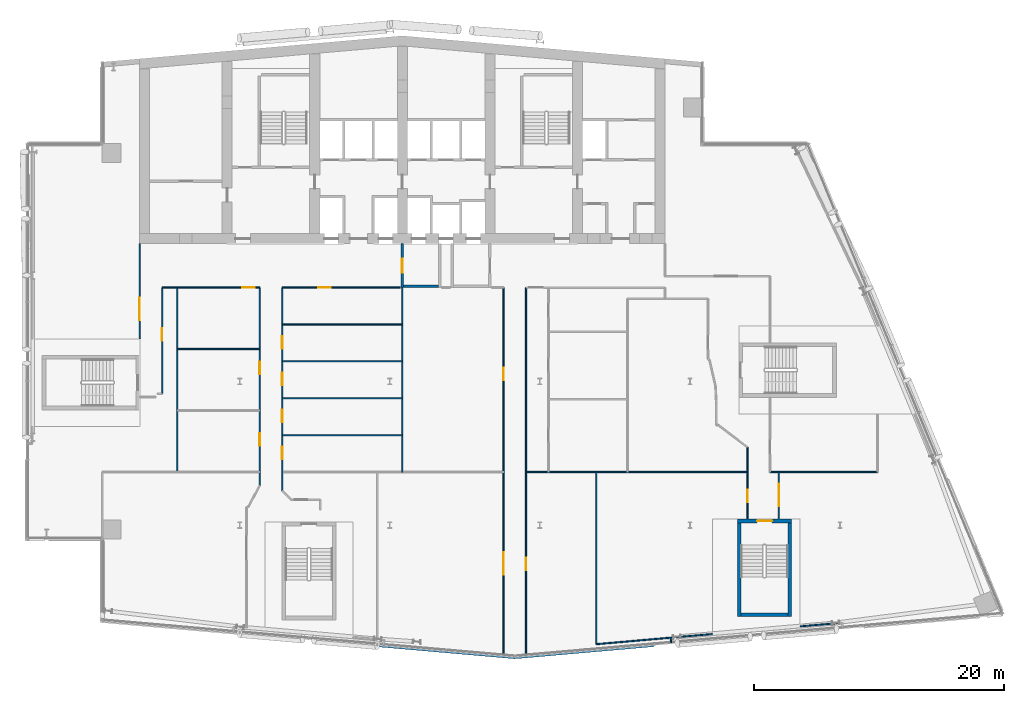
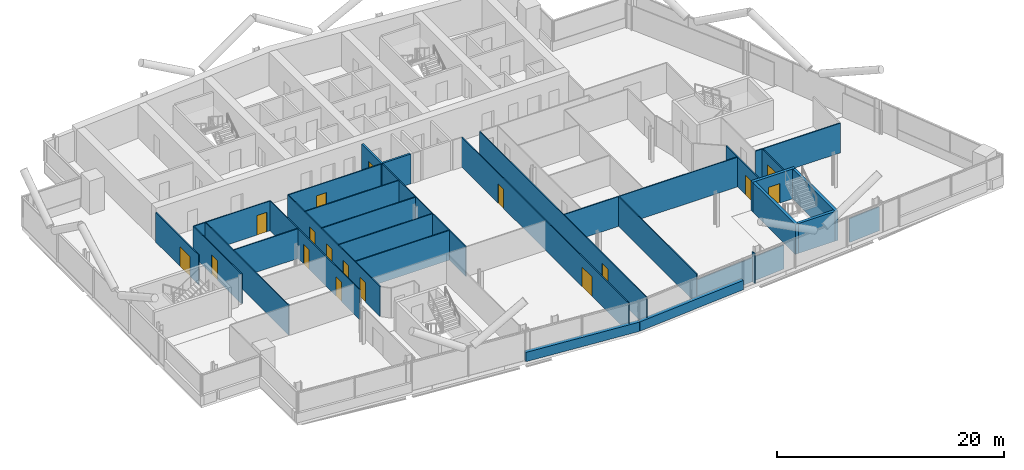
# One storey, part 15 of 26: 31 walls, 17 doors, 17 openings.
"""IFC4 building model written with IfcOpenShell, lengths in metres."""

import ifcopenshell
import ifcopenshell.guid

model = None  # the IFC model being written
_history = None  # IfcOwnerHistory: only IFC2X3 demands one
_inside = {}  # id of a spatial element -> (the spatial element, [elements in it])
_under = {}  # id of a project, library or spatial element -> (it, [spatial elements below it])
_declared = {}  # id of a project -> (the project, [libraries it declares])
_typed = {}  # id of a type object -> (the type object, [elements of that type])
_made_of = {}  # id of a material, layer set ... -> (it, [elements and type objects made of it])


def new_model(schema):
    """Start an empty IFC model of exactly this schema.

    Asked for "IFC4X3", IfcOpenShell would pick the latest addendum, in which some entities
    have other attributes; the version numbers below select the first issue.
    IFC2X3 requires an IfcOwnerHistory on every rooted entity: one is made here for all.
    """
    global model, _history
    if schema == "IFC4X3":
        model = ifcopenshell.file(schema_version=(4, 3, 0, 0))
    else:
        model = ifcopenshell.file(schema=schema)
    _inside.clear()
    _under.clear()
    _declared.clear()
    _typed.clear()
    _made_of.clear()
    _history = None
    if model.schema == "IFC2X3":
        org = make("IfcOrganization", Name="unknown")
        user = make(
            "IfcPersonAndOrganization",
            ThePerson=make("IfcPerson", FamilyName="unknown"),
            TheOrganization=org,
        )
        app = make(
            "IfcApplication",
            ApplicationDeveloper=org,
            Version="unknown",
            ApplicationFullName="unknown",
            ApplicationIdentifier="unknown",
        )
        _history = make(
            "IfcOwnerHistory",
            OwningUser=user,
            OwningApplication=app,
            ChangeAction="ADDED",
            CreationDate=0,
        )
    return model


def make(cls, **values):
    """One entity of the class cls with the attributes given. An attribute that is None is left unset."""
    return model.create_entity(
        cls, **{name: value for name, value in values.items() if value is not None}
    )


def rooted(cls, **values):
    """An entity with a GlobalId (a new one), such as an element, a storey or a relation."""
    return make(cls, GlobalId=ifcopenshell.guid.new(), OwnerHistory=_history, **values)


def si_unit(unit_type, name, prefix=None):
    """IfcSIUnit, for example si_unit("LENGTHUNIT", "METRE", prefix="MILLI")."""
    return make("IfcSIUnit", UnitType=unit_type, Prefix=prefix, Name=name)


def assignment(units):
    """IfcUnitAssignment: the units of a project."""
    return None if units is None else make("IfcUnitAssignment", Units=units)


def point(xyz):
    """IfcCartesianPoint."""
    return None if xyz is None else make("IfcCartesianPoint", Coordinates=xyz)


def direction(xyz):
    """IfcDirection."""
    return None if xyz is None else make("IfcDirection", DirectionRatios=xyz)


def frame(location, z_axis=None, x_axis=None):
    """IfcAxis2Placement3D, a coordinate frame: its origin and axes. An axis left out is left unset."""
    return make(
        "IfcAxis2Placement3D",
        Location=point(location),
        Axis=direction(z_axis),
        RefDirection=direction(x_axis),
    )


def frame_2d(location, x_axis=None):
    """IfcAxis2Placement2D, a coordinate frame in the plane: its origin and x axis."""
    return make(
        "IfcAxis2Placement2D", Location=point(location), RefDirection=direction(x_axis)
    )


def origin():
    """The frame at (0, 0, 0) with its axes left unset."""
    return frame((0.0, 0.0, 0.0))


def place(relative_to, where):
    """IfcLocalPlacement: puts the frame where relative to a parent placement (None: the world)."""
    return make(
        "IfcLocalPlacement", PlacementRelTo=relative_to, RelativePlacement=where
    )


def context(
    kind, dimensions, precision=None, world=None, true_north=None, identifier=None
):
    """IfcGeometricRepresentationContext, for example the 3D "Model" context."""
    return make(
        "IfcGeometricRepresentationContext",
        ContextIdentifier=identifier,
        ContextType=kind,
        CoordinateSpaceDimension=dimensions,
        Precision=precision,
        WorldCoordinateSystem=world,
        TrueNorth=true_north,
    )


def subcontext(parent, identifier, kind, view, scale=None):
    """IfcGeometricRepresentationSubContext, for example "Body" below "Model"."""
    return make(
        "IfcGeometricRepresentationSubContext",
        ContextIdentifier=identifier,
        ContextType=kind,
        ParentContext=parent,
        TargetScale=scale,
        TargetView=view,
    )


def project(units=None, contexts=None):
    """IfcProject with its units and contexts."""
    return rooted(
        "IfcProject",
        Name="project",
        RepresentationContexts=contexts,
        UnitsInContext=assignment(units),
    )


def spatial(cls, under=None, at=None, **own):
    """A site, building, storey or space (cls), placed at a placement, below another one or the project."""
    s = rooted(cls, ObjectPlacement=at, **own)
    if under is not None:
        _under.setdefault(under.id(), (under, []))[1].append(s)
    return s


def profile(cls, at=None, kind="AREA", **sizes):
    """A parametric profile (cls). Its sizes go by their IFC names, for example OverallWidth=200.0."""
    return make(cls, ProfileType=kind, Position=at, **sizes)


def rectangle(**sizes):
    """IfcRectangleProfileDef."""
    return profile("IfcRectangleProfileDef", **sizes)


def extrude(swept, where, along, depth):
    """IfcExtrudedAreaSolid: the profile swept, set in the frame where, extruded along a direction by depth."""
    return make(
        "IfcExtrudedAreaSolid",
        SweptArea=swept,
        Position=where,
        ExtrudedDirection=direction(along),
        Depth=depth,
    )


def shape(context_of_items, identifier, shape_type, items):
    """IfcShapeRepresentation: the items that make up one representation, for example the "Body"."""
    return make(
        "IfcShapeRepresentation",
        ContextOfItems=context_of_items,
        RepresentationIdentifier=identifier,
        RepresentationType=shape_type,
        Items=items,
    )


def material(Name=None, Category=None):
    """IfcMaterial."""
    return make("IfcMaterial", Name=Name, Category=Category)


def layer(
    of_material, thickness, ventilated=None, Name=None, Category=None, Priority=None
):
    """IfcMaterialLayer: one layer of a wall or slab, of a material (None: an air gap)."""
    return make(
        "IfcMaterialLayer",
        Material=of_material,
        LayerThickness=thickness,
        IsVentilated=ventilated,
        Name=Name,
        Category=Category,
        Priority=Priority,
    )


def layer_set(layers, Name=None):
    """IfcMaterialLayerSet."""
    return make("IfcMaterialLayerSet", MaterialLayers=layers, LayerSetName=Name)


def made_of(thing, what):
    """Note that an element or type object is made of a material, layer set ...; save() writes the relation."""
    if what is not None:
        _made_of.setdefault(what.id(), (what, []))[1].append(thing)
    return thing


def type_object(cls, material=None, **own):
    """A type object (cls), such as IfcWallType, which elements share."""
    return made_of(rooted(cls, **own), material)


def element(
    cls,
    number,
    at=None,
    inside=None,
    cuts=None,
    type_object=None,
    material=None,
    context=None,
    identifier="Body",
    shape_type=None,
    held_by="IfcProductDefinitionShape",
    body=None,
    shapes=None,
    **own,
):
    """One element of the class cls, such as IfcWall. Its Tag is "e" and its number.

    at: its placement. inside: the storey or other place that contains it. cuts: it is an
    opening in that element (IfcRelVoidsElement). A single representation is given by context,
    identifier, shape_type and body (its items); several are given by shapes. held_by: the class
    of the entity that holds the representations. save() writes the other relations.
    """
    e = rooted(cls, Tag="e%d" % number, ObjectPlacement=at, **own)
    if body is not None:
        shapes = [shape(context, identifier, shape_type, body)]
    if shapes is not None:
        e.Representation = make(held_by, Representations=shapes)
    if inside is not None:
        _inside.setdefault(inside.id(), (inside, []))[1].append(e)
    if cuts is not None:
        rooted(
            "IfcRelVoidsElement", RelatingBuildingElement=cuts, RelatedOpeningElement=e
        )
    if type_object is not None:
        _typed.setdefault(type_object.id(), (type_object, []))[1].append(e)
    return made_of(e, material)


def fill(opening, filler):
    """IfcRelFillsElement: the door or window that sits in an opening."""
    return rooted(
        "IfcRelFillsElement",
        RelatingOpeningElement=opening,
        RelatedBuildingElement=filler,
    )


def aggregate(whole, parts):
    """IfcRelAggregates: a whole, such as a stair, and the parts it consists of."""
    return rooted("IfcRelAggregates", RelatingObject=whole, RelatedObjects=parts)


def save(model, path):
    """Write the relations noted so far, then the file.

    IfcRelAggregates (storeys below a building ...), IfcRelContainedInSpatialStructure (elements
    in a storey), IfcRelDefinesByType, IfcRelAssociatesMaterial and IfcRelDeclares: one each for
    every whole, place, type object, material and project.
    """
    for whole, parts in _under.values():
        aggregate(whole, parts)
    for where, things in _inside.values():
        rooted(
            "IfcRelContainedInSpatialStructure",
            RelatedElements=things,
            RelatingStructure=where,
        )
    for kind, things in _typed.values():
        rooted("IfcRelDefinesByType", RelatedObjects=things, RelatingType=kind)
    for what, things in _made_of.values():
        rooted("IfcRelAssociatesMaterial", RelatedObjects=things, RelatingMaterial=what)
    for by, libraries in _declared.values():
        rooted("IfcRelDeclares", RelatingContext=by, RelatedDefinitions=libraries)
    model.write(path)


model = new_model("IFC4")

# Units and contexts
model_context = context("Model", 3, precision=1e-05, world=origin(), true_north=direction((0.0, 1.0)))
body_context = subcontext(model_context, "Body", "Model", "MODEL_VIEW")
ifc_project = project(units=[si_unit("LENGTHUNIT", "METRE"), si_unit("AREAUNIT", "SQUARE_METRE"), si_unit("VOLUMEUNIT", "CUBIC_METRE"), si_unit("PLANEANGLEUNIT", "RADIAN"), si_unit("MASSUNIT", "GRAM", prefix="KILO")], contexts=[model_context])

# Site, building, storey
site_placement = place(None, origin())
site = spatial("IfcSite", under=ifc_project, at=site_placement, CompositionType="ELEMENT")
building_placement = place(site_placement, origin())
building = spatial("IfcBuilding", under=site, at=building_placement, Name="Wharfspan Tower", CompositionType="ELEMENT")
storey_placement = place(building_placement, frame((0.0, 0.0, 166.300049)))
storey = spatial("IfcBuildingStorey", under=building, at=storey_placement, Name="L40", CompositionType="ELEMENT", Elevation=166.300049)

# Wall, opening, door
ifc_material_1 = material(Name="Gypsum board on steel studs", Category="steel")
ifc_layer_1 = layer(ifc_material_1, 0.100098)
ifc_layer_set_1 = layer_set([ifc_layer_1], Name="Gypsum board on steel studs")
wall_type_1 = type_object("IfcWallType", Name="Compartment wall 100 EI 60", PredefinedType="PARTITIONING", material=ifc_layer_set_1)
wall_1_placement = place(storey_placement, frame((16.0, 26.419922, 0.0), z_axis=(0.0, 0.0, 1.0), x_axis=(0.0, 1.0, 0.0)))
wall_1 = element("IfcWall", 1, at=wall_1_placement, inside=storey, type_object=wall_type_1, Name="Partition L40.w006", PredefinedType="PARTITIONING", context=body_context, shape_type="SweptSolid", body=[
    extrude(rectangle(XDim=7.560059, YDim=0.100098, at=frame_2d((3.780029, 0.0))), origin(), (0.0, 0.0, 1.0), 3.199951),
])
opening_1_placement = place(wall_1_placement, frame((1.47998, 0.0, 0.0)))
opening_1 = element("IfcOpeningElement", 2, at=opening_1_placement, cuts=wall_1, Name="Opening C3-20", PredefinedType="OPENING", context=body_context, shape_type="SweptSolid", body=[
    extrude(rectangle(XDim=1.800049, YDim=2.100098, at=frame_2d((0.899902, 1.050049))), frame((0.0, 0.060059, 0.0), z_axis=(0.0, -1.0, 0.0), x_axis=(1.0, 0.0, 0.0)), (0.0, 0.0, 1.0), 0.120117),
])
ifc_material_2 = material(Name="Fire-rated timber door leaf in steel frame", Category="steel")
door_type_1 = type_object("IfcDoorType", Name="Door 1800 FD30S Double", OperationType="DOUBLE_DOOR_SINGLE_SWING", PredefinedType="DOOR", material=ifc_material_2)
door_1_placement = place(opening_1_placement, origin())
door_1 = element("IfcDoor", 3, at=door_1_placement, inside=storey, type_object=door_type_1, Name="Door C3-20", OperationType="DOUBLE_DOOR_SINGLE_SWING", OverallHeight=2.100098, OverallWidth=1.800049, PredefinedType="DOOR", context=body_context, shape_type="SweptSolid", body=[
    extrude(rectangle(XDim=1.800049, YDim=2.100098, at=frame_2d((0.899902, 1.050049))), frame((0.0, 0.024902, 0.0), z_axis=(0.0, -1.0, 0.0), x_axis=(1.0, 0.0, 0.0)), (0.0, 0.0, 1.0), 0.050049),
])
fill(opening_1, door_1)

wall_2_placement = place(storey_placement, frame((17.800049, 22.0, 0.0), z_axis=(0.0, 0.0, 1.0), x_axis=(0.0, 1.0, 0.0)))
wall_2 = element("IfcWall", 4, at=wall_2_placement, inside=storey, type_object=wall_type_1, Name="Partition L40.w009", PredefinedType="PARTITIONING", context=body_context, shape_type="SweptSolid", body=[
    extrude(rectangle(XDim=8.5, YDim=0.100098, at=frame_2d((4.25, 0.0))), origin(), (0.0, 0.0, 1.0), 3.199951),
])
opening_2_placement = place(wall_2_placement, frame((4.231201, 0.0, 0.0)))
opening_2 = element("IfcOpeningElement", 5, at=opening_2_placement, cuts=wall_2, Name="Opening C3-18", PredefinedType="OPENING", context=body_context, shape_type="SweptSolid", body=[
    extrude(rectangle(XDim=1.0, YDim=2.100098, at=frame_2d((0.5, 1.050049))), frame((0.0, 0.060059, 0.0), z_axis=(0.0, -1.0, 0.0), x_axis=(1.0, 0.0, 0.0)), (0.0, 0.0, 1.0), 0.120117),
])
door_type_2 = type_object("IfcDoorType", Name="Door 1000 FD30S Right", OperationType="SINGLE_SWING_RIGHT", PredefinedType="DOOR", material=ifc_material_2)
door_2_placement = place(opening_2_placement, origin())
door_2 = element("IfcDoor", 6, at=door_2_placement, inside=storey, type_object=door_type_2, Name="Door C3-18", OperationType="SINGLE_SWING_RIGHT", OverallHeight=2.100098, OverallWidth=1.0, PredefinedType="DOOR", context=body_context, shape_type="SweptSolid", body=[
    extrude(rectangle(XDim=1.0, YDim=2.100098, at=frame_2d((0.5, 1.050049))), frame((0.0, 0.024902, 0.0), z_axis=(0.0, -1.0, 0.0), x_axis=(1.0, 0.0, 0.0)), (0.0, 0.0, 1.0), 0.050049),
])
fill(opening_2, door_2)

wall_3_placement = place(storey_placement, frame((17.800049, 30.5, 0.0), z_axis=(0.0, 0.0, 1.0), x_axis=(1.0, 0.0, 0.0)))
wall_3 = element("IfcWall", 7, at=wall_3_placement, inside=storey, type_object=wall_type_1, Name="Partition L40.w010", PredefinedType="PARTITIONING", context=body_context, shape_type="SweptSolid", body=[
    extrude(rectangle(XDim=7.800049, YDim=0.100098, at=frame_2d((3.899902, 0.0))), origin(), (0.0, 0.0, 1.0), 3.199951),
])
opening_3_placement = place(wall_3_placement, frame((6.419922, 0.0, 0.0)))
opening_3 = element("IfcOpeningElement", 8, at=opening_3_placement, cuts=wall_3, Name="Opening C3-22", PredefinedType="OPENING", context=body_context, shape_type="SweptSolid", body=[
    extrude(rectangle(XDim=1.0, YDim=2.100098, at=frame_2d((0.5, 1.050049))), frame((0.0, 0.060059, 0.0), z_axis=(0.0, -1.0, 0.0), x_axis=(1.0, 0.0, 0.0)), (0.0, 0.0, 1.0), 0.120117),
])
door_3_placement = place(opening_3_placement, origin())
door_3 = element("IfcDoor", 9, at=door_3_placement, inside=storey, type_object=door_type_2, Name="Door C3-22", OperationType="SINGLE_SWING_RIGHT", OverallHeight=2.100098, OverallWidth=1.0, PredefinedType="DOOR", context=body_context, shape_type="SweptSolid", body=[
    extrude(rectangle(XDim=1.0, YDim=2.100098, at=frame_2d((0.5, 1.050049))), frame((0.0, 0.024902, 0.0), z_axis=(0.0, -1.0, 0.0), x_axis=(1.0, 0.0, 0.0)), (0.0, 0.0, 1.0), 0.050049),
])
fill(opening_3, door_3)

# Walls
wall_4_placement = place(storey_placement, frame((19.0, 15.745117, 0.0), z_axis=(0.0, 0.0, 1.0), x_axis=(0.0, 1.0, 0.0)))
element("IfcWall", 10, at=wall_4_placement, inside=storey, type_object=wall_type_1, Name="Partition L40.w011", PredefinedType="PARTITIONING", context=body_context, shape_type="SweptSolid", body=[
    extrude(rectangle(XDim=14.754883, YDim=0.100098, at=frame_2d((7.377441, 0.0))), origin(), (0.0, 0.0, 1.0), 3.199951),
])
wall_5_placement = place(storey_placement, frame((19.0, 25.580078, 0.0), z_axis=(0.0, 0.0, 1.0), x_axis=(1.0, 0.0, 0.0)))
element("IfcWall", 11, at=wall_5_placement, inside=storey, type_object=wall_type_1, Name="Partition L40.w013", PredefinedType="PARTITIONING", context=body_context, shape_type="SweptSolid", body=[
    extrude(rectangle(XDim=6.600098, YDim=0.100098, at=frame_2d((3.300049, 0.0))), origin(), (0.0, 0.0, 1.0), 3.199951),
])

# Wall, openings, doors
wall_6_placement = place(storey_placement, frame((25.600098, 14.669922, 0.0), z_axis=(0.0, 0.0, 1.0), x_axis=(0.0, 1.0, 0.0)))
wall_6 = element("IfcWall", 12, at=wall_6_placement, inside=storey, type_object=wall_type_1, Name="Partition L40.w018", PredefinedType="PARTITIONING", context=body_context, shape_type="SweptSolid", body=[
    extrude(rectangle(XDim=15.830078, YDim=0.100098, at=frame_2d((7.915039, 0.0))), origin(), (0.0, 0.0, 1.0), 3.199951),
])
opening_4_placement = place(wall_6_placement, frame((3.175049, 0.0, 0.0)))
opening_4 = element("IfcOpeningElement", 13, at=opening_4_placement, cuts=wall_6, Name="Opening C3-09", PredefinedType="OPENING", context=body_context, shape_type="SweptSolid", body=[
    extrude(rectangle(XDim=1.0, YDim=2.100098, at=frame_2d((0.5, 1.050049))), frame((0.0, 0.060059, 0.0), z_axis=(0.0, -1.0, 0.0), x_axis=(1.0, 0.0, 0.0)), (0.0, 0.0, 1.0), 0.120117),
])
opening_5_placement = place(wall_6_placement, frame((8.889893, 0.0, 0.0)))
opening_5 = element("IfcOpeningElement", 14, at=opening_5_placement, cuts=wall_6, Name="Opening C3-14", PredefinedType="OPENING", context=body_context, shape_type="SweptSolid", body=[
    extrude(rectangle(XDim=1.0, YDim=2.100098, at=frame_2d((0.5, 1.050049))), frame((0.0, 0.060059, 0.0), z_axis=(0.0, -1.0, 0.0), x_axis=(1.0, 0.0, 0.0)), (0.0, 0.0, 1.0), 0.120117),
])
door_type_3 = type_object("IfcDoorType", Name="Door 1000 FD30S Left", OperationType="SINGLE_SWING_LEFT", PredefinedType="DOOR", material=ifc_material_2)
door_4_placement = place(opening_4_placement, origin())
door_4 = element("IfcDoor", 15, at=door_4_placement, inside=storey, type_object=door_type_3, Name="Door C3-09", OperationType="SINGLE_SWING_LEFT", OverallHeight=2.100098, OverallWidth=1.0, PredefinedType="DOOR", context=body_context, shape_type="SweptSolid", body=[
    extrude(rectangle(XDim=1.0, YDim=2.100098, at=frame_2d((0.5, 1.050049))), frame((0.0, 0.024902, 0.0), z_axis=(0.0, -1.0, 0.0), x_axis=(1.0, 0.0, 0.0)), (0.0, 0.0, 1.0), 0.050049),
])
fill(opening_4, door_4)
door_5_placement = place(opening_5_placement, origin())
door_5 = element("IfcDoor", 16, at=door_5_placement, inside=storey, type_object=door_type_2, Name="Door C3-14", OperationType="SINGLE_SWING_RIGHT", OverallHeight=2.100098, OverallWidth=1.0, PredefinedType="DOOR", context=body_context, shape_type="SweptSolid", body=[
    extrude(rectangle(XDim=1.0, YDim=2.100098, at=frame_2d((0.5, 1.050049))), frame((0.0, 0.024902, 0.0), z_axis=(0.0, -1.0, 0.0), x_axis=(1.0, 0.0, 0.0)), (0.0, 0.0, 1.0), 0.050049),
])
fill(opening_5, door_5)

wall_7_placement = place(storey_placement, frame((27.399902, 14.23999, 0.0), z_axis=(0.0, 0.0, 1.0), x_axis=(0.0, 1.0, 0.0)))
wall_7 = element("IfcWall", 17, at=wall_7_placement, inside=storey, type_object=wall_type_1, Name="Partition L40.w019", PredefinedType="PARTITIONING", context=body_context, shape_type="SweptSolid", body=[
    extrude(rectangle(XDim=16.26001, YDim=0.100098, at=frame_2d((8.129883, 0.0))), origin(), (0.0, 0.0, 1.0), 3.199951),
])
opening_6_placement = place(wall_7_placement, frame((2.524902, 0.0, 0.0)))
opening_6 = element("IfcOpeningElement", 18, at=opening_6_placement, cuts=wall_7, Name="Opening C3-07", PredefinedType="OPENING", context=body_context, shape_type="SweptSolid", body=[
    extrude(rectangle(XDim=1.0, YDim=2.100098, at=frame_2d((0.5, 1.050049))), frame((0.0, 0.060059, 0.0), z_axis=(0.0, -1.0, 0.0), x_axis=(1.0, 0.0, 0.0)), (0.0, 0.0, 1.0), 0.120117),
])
opening_7_placement = place(wall_7_placement, frame((5.475098, 0.0, 0.0)))
opening_7 = element("IfcOpeningElement", 19, at=opening_7_placement, cuts=wall_7, Name="Opening C3-11", PredefinedType="OPENING", context=body_context, shape_type="SweptSolid", body=[
    extrude(rectangle(XDim=1.0, YDim=2.100098, at=frame_2d((0.5, 1.050049))), frame((0.0, 0.060059, 0.0), z_axis=(0.0, -1.0, 0.0), x_axis=(1.0, 0.0, 0.0)), (0.0, 0.0, 1.0), 0.120117),
])
opening_8_placement = place(wall_7_placement, frame((8.425049, 0.0, 0.0)))
opening_8 = element("IfcOpeningElement", 20, at=opening_8_placement, cuts=wall_7, Name="Opening C3-12", PredefinedType="OPENING", context=body_context, shape_type="SweptSolid", body=[
    extrude(rectangle(XDim=1.0, YDim=2.100098, at=frame_2d((0.5, 1.050049))), frame((0.0, 0.060059, 0.0), z_axis=(0.0, -1.0, 0.0), x_axis=(1.0, 0.0, 0.0)), (0.0, 0.0, 1.0), 0.120117),
])
opening_9_placement = place(wall_7_placement, frame((11.379883, 0.0, 0.0)))
opening_9 = element("IfcOpeningElement", 21, at=opening_9_placement, cuts=wall_7, Name="Opening C3-16", PredefinedType="OPENING", context=body_context, shape_type="SweptSolid", body=[
    extrude(rectangle(XDim=1.0, YDim=2.100098, at=frame_2d((0.5, 1.050049))), frame((0.0, 0.060059, 0.0), z_axis=(0.0, -1.0, 0.0), x_axis=(1.0, 0.0, 0.0)), (0.0, 0.0, 1.0), 0.120117),
])
door_6_placement = place(opening_6_placement, origin())
door_6 = element("IfcDoor", 22, at=door_6_placement, inside=storey, type_object=door_type_3, Name="Door C3-07", OperationType="SINGLE_SWING_LEFT", OverallHeight=2.100098, OverallWidth=1.0, PredefinedType="DOOR", context=body_context, shape_type="SweptSolid", body=[
    extrude(rectangle(XDim=1.0, YDim=2.100098, at=frame_2d((0.5, 1.050049))), frame((0.0, 0.024902, 0.0), z_axis=(0.0, -1.0, 0.0), x_axis=(1.0, 0.0, 0.0)), (0.0, 0.0, 1.0), 0.050049),
])
fill(opening_6, door_6)
door_7_placement = place(opening_7_placement, origin())
door_7 = element("IfcDoor", 23, at=door_7_placement, inside=storey, type_object=door_type_3, Name="Door C3-11", OperationType="SINGLE_SWING_LEFT", OverallHeight=2.100098, OverallWidth=1.0, PredefinedType="DOOR", context=body_context, shape_type="SweptSolid", body=[
    extrude(rectangle(XDim=1.0, YDim=2.100098, at=frame_2d((0.5, 1.050049))), frame((0.0, 0.024902, 0.0), z_axis=(0.0, -1.0, 0.0), x_axis=(1.0, 0.0, 0.0)), (0.0, 0.0, 1.0), 0.050049),
])
fill(opening_7, door_7)
door_8_placement = place(opening_8_placement, origin())
door_8 = element("IfcDoor", 24, at=door_8_placement, inside=storey, type_object=door_type_2, Name="Door C3-12", OperationType="SINGLE_SWING_RIGHT", OverallHeight=2.100098, OverallWidth=1.0, PredefinedType="DOOR", context=body_context, shape_type="SweptSolid", body=[
    extrude(rectangle(XDim=1.0, YDim=2.100098, at=frame_2d((0.5, 1.050049))), frame((0.0, 0.024902, 0.0), z_axis=(0.0, -1.0, 0.0), x_axis=(1.0, 0.0, 0.0)), (0.0, 0.0, 1.0), 0.050049),
])
fill(opening_8, door_8)
door_9_placement = place(opening_9_placement, origin())
door_9 = element("IfcDoor", 25, at=door_9_placement, inside=storey, type_object=door_type_2, Name="Door C3-16", OperationType="SINGLE_SWING_RIGHT", OverallHeight=2.100098, OverallWidth=1.0, PredefinedType="DOOR", context=body_context, shape_type="SweptSolid", body=[
    extrude(rectangle(XDim=1.0, YDim=2.100098, at=frame_2d((0.5, 1.050049))), frame((0.0, 0.024902, 0.0), z_axis=(0.0, -1.0, 0.0), x_axis=(1.0, 0.0, 0.0)), (0.0, 0.0, 1.0), 0.050049),
])
fill(opening_9, door_9)

# Walls
for number, where, z_axis, x_axis, name in (
    (26, (27.399902, 18.695068, 0.0), (0.0, 0.0, 1.0), (1.0, 0.0, 0.0), "Partition L40.w021"),
    (27, (27.399902, 21.64502, 0.0), (0.0, 0.0, 1.0), (1.0, 0.0, 0.0), "Partition L40.w022"),
    (28, (27.399902, 24.600098, 0.0), (0.0, 0.0, 1.0), (1.0, 0.0, 0.0), "Partition L40.w023"),
    (29, (27.399902, 27.550049, 0.0), (0.0, 0.0, 1.0), (1.0, 0.0, 0.0), "Partition L40.w024"),
):
    element("IfcWall", number, at=place(storey_placement, frame(where, z_axis=z_axis, x_axis=x_axis)), inside=storey, type_object=wall_type_1, Name=name, PredefinedType="PARTITIONING", context=body_context, shape_type="SweptSolid", body=[
        extrude(rectangle(XDim=9.600098, YDim=0.100098, at=frame_2d((4.800049, 0.0))), origin(), (0.0, 0.0, 1.0), 3.199951),
    ])

# Wall, opening, door
wall_8_placement = place(storey_placement, frame((27.399902, 30.5, 0.0), z_axis=(0.0, 0.0, 1.0), x_axis=(1.0, 0.0, 0.0)))
wall_8 = element("IfcWall", 30, at=wall_8_placement, inside=storey, type_object=wall_type_1, Name="Partition L40.w025", PredefinedType="PARTITIONING", context=body_context, shape_type="SweptSolid", body=[
    extrude(rectangle(XDim=9.450195, YDim=0.100098, at=frame_2d((4.725098, 0.0))), origin(), (0.0, 0.0, 1.0), 3.199951),
])
opening_10_placement = place(wall_8_placement, frame((2.870117, 0.0, 0.0)))
opening_10 = element("IfcOpeningElement", 31, at=opening_10_placement, cuts=wall_8, Name="Opening C3-23", PredefinedType="OPENING", context=body_context, shape_type="SweptSolid", body=[
    extrude(rectangle(XDim=1.0, YDim=2.100098, at=frame_2d((0.5, 1.050049))), frame((0.0, 0.060059, 0.0), z_axis=(0.0, -1.0, 0.0), x_axis=(1.0, 0.0, 0.0)), (0.0, 0.0, 1.0), 0.120117),
])
door_10_placement = place(opening_10_placement, origin())
door_10 = element("IfcDoor", 32, at=door_10_placement, inside=storey, type_object=door_type_3, Name="Door C3-23", OperationType="SINGLE_SWING_LEFT", OverallHeight=2.100098, OverallWidth=1.0, PredefinedType="DOOR", context=body_context, shape_type="SweptSolid", body=[
    extrude(rectangle(XDim=1.0, YDim=2.100098, at=frame_2d((0.5, 1.050049))), frame((0.0, 0.024902, 0.0), z_axis=(0.0, -1.0, 0.0), x_axis=(1.0, 0.0, 0.0)), (0.0, 0.0, 1.0), 0.050049),
])
fill(opening_10, door_10)

# Wall
wall_9_placement = place(storey_placement, frame((37.0, 15.745117, 0.0), z_axis=(0.0, 0.0, 1.0), x_axis=(0.0, 1.0, 0.0)))
element("IfcWall", 33, at=wall_9_placement, inside=storey, type_object=wall_type_1, Name="Partition L40.w032", PredefinedType="PARTITIONING", context=body_context, shape_type="SweptSolid", body=[
    extrude(rectangle(XDim=14.754883, YDim=0.100098, at=frame_2d((7.377441, 0.0))), origin(), (0.0, 0.0, 1.0), 3.199951),
])

# Wall, openings, doors
wall_10_placement = place(storey_placement, frame((45.100098, 1.086914, 0.0), z_axis=(0.0, 0.0, 1.0), x_axis=(0.0, 1.0, 0.0)))
wall_10 = element("IfcWall", 34, at=wall_10_placement, inside=storey, type_object=wall_type_1, Name="Partition L40.w033", PredefinedType="PARTITIONING", context=body_context, shape_type="SweptSolid", body=[
    extrude(rectangle(XDim=29.413086, YDim=0.100098, at=frame_2d((14.706543, 0.0))), origin(), (0.0, 0.0, 1.0), 3.199951),
])
opening_11_placement = place(wall_10_placement, frame((6.438232, 0.0, 0.0)))
opening_11 = element("IfcOpeningElement", 35, at=opening_11_placement, cuts=wall_10, Name="Opening C3-02", PredefinedType="OPENING", context=body_context, shape_type="SweptSolid", body=[
    extrude(rectangle(XDim=1.800049, YDim=2.100098, at=frame_2d((0.899902, 1.050049))), frame((0.0, 0.060059, 0.0), z_axis=(0.0, -1.0, 0.0), x_axis=(1.0, 0.0, 0.0)), (0.0, 0.0, 1.0), 0.120117),
])
opening_12_placement = place(wall_10_placement, frame((21.993164, 0.0, 0.0)))
opening_12 = element("IfcOpeningElement", 36, at=opening_12_placement, cuts=wall_10, Name="Opening C3-13", PredefinedType="OPENING", context=body_context, shape_type="SweptSolid", body=[
    extrude(rectangle(XDim=1.0, YDim=2.100098, at=frame_2d((0.5, 1.050049))), frame((0.0, 0.060059, 0.0), z_axis=(0.0, -1.0, 0.0), x_axis=(1.0, 0.0, 0.0)), (0.0, 0.0, 1.0), 0.120117),
])
door_11_placement = place(opening_12_placement, origin())
door_11 = element("IfcDoor", 37, at=door_11_placement, inside=storey, type_object=door_type_2, Name="Door C3-13", OperationType="SINGLE_SWING_RIGHT", OverallHeight=2.100098, OverallWidth=1.0, PredefinedType="DOOR", context=body_context, shape_type="SweptSolid", body=[
    extrude(rectangle(XDim=1.0, YDim=2.100098, at=frame_2d((0.5, 1.050049))), frame((0.0, 0.024902, 0.0), z_axis=(0.0, -1.0, 0.0), x_axis=(1.0, 0.0, 0.0)), (0.0, 0.0, 1.0), 0.050049),
])
fill(opening_12, door_11)
door_12_placement = place(opening_11_placement, origin())
door_12 = element("IfcDoor", 38, at=door_12_placement, inside=storey, type_object=door_type_1, Name="Door C3-02", OperationType="DOUBLE_DOOR_SINGLE_SWING", OverallHeight=2.100098, OverallWidth=1.800049, PredefinedType="DOOR", context=body_context, shape_type="SweptSolid", body=[
    extrude(rectangle(XDim=1.800049, YDim=2.100098, at=frame_2d((0.899902, 1.050049))), frame((0.0, 0.024902, 0.0), z_axis=(0.0, -1.0, 0.0), x_axis=(1.0, 0.0, 0.0)), (0.0, 0.0, 1.0), 0.050049),
])
fill(opening_11, door_12)

# Wall, opening, door
wall_11_placement = place(storey_placement, frame((46.899902, 1.086914, 0.0), z_axis=(0.0, 0.0, 1.0), x_axis=(0.0, 1.0, 0.0)))
wall_11 = element("IfcWall", 39, at=wall_11_placement, inside=storey, type_object=wall_type_1, Name="Partition L40.w034", PredefinedType="PARTITIONING", context=body_context, shape_type="SweptSolid", body=[
    extrude(rectangle(XDim=29.403076, YDim=0.100098, at=frame_2d((14.70166, 0.0))), origin(), (0.0, 0.0, 1.0), 3.199951),
])
opening_13_placement = place(wall_11_placement, frame((6.797852, 0.0, 0.0)))
opening_13 = element("IfcOpeningElement", 40, at=opening_13_placement, cuts=wall_11, Name="Opening C3-01", PredefinedType="OPENING", context=body_context, shape_type="SweptSolid", body=[
    extrude(rectangle(XDim=1.0, YDim=2.100098, at=frame_2d((0.5, 1.050049))), frame((0.0, 0.060059, 0.0), z_axis=(0.0, -1.0, 0.0), x_axis=(1.0, 0.0, 0.0)), (0.0, 0.0, 1.0), 0.120117),
])
door_13_placement = place(opening_13_placement, origin())
door_13 = element("IfcDoor", 41, at=door_13_placement, inside=storey, type_object=door_type_3, Name="Door C3-01", OperationType="SINGLE_SWING_LEFT", OverallHeight=2.100098, OverallWidth=1.0, PredefinedType="DOOR", context=body_context, shape_type="SweptSolid", body=[
    extrude(rectangle(XDim=1.0, YDim=2.100098, at=frame_2d((0.5, 1.050049))), frame((0.0, 0.024902, 0.0), z_axis=(0.0, -1.0, 0.0), x_axis=(1.0, 0.0, 0.0)), (0.0, 0.0, 1.0), 0.050049),
])
fill(opening_13, door_13)

# Wall
wall_12_placement = place(storey_placement, frame((46.909912, 15.745117, 0.0), z_axis=(0.0, 0.0, 1.0), x_axis=(1.0, 0.0, 0.0)))
element("IfcWall", 42, at=wall_12_placement, inside=storey, type_object=wall_type_1, Name="Partition L40.w035", PredefinedType="PARTITIONING", context=body_context, shape_type="SweptSolid", body=[
    extrude(rectangle(XDim=17.690186, YDim=0.100098, at=frame_2d((8.845215, 0.0))), origin(), (0.0, 0.0, 1.0), 3.199951),
])

# Wall, opening, door
wall_13_placement = place(storey_placement, frame((64.600098, 12.003662, 0.0), z_axis=(0.0, 0.0, 1.0), x_axis=(0.0, 1.0, 0.0)))
wall_13 = element("IfcWall", 43, at=wall_13_placement, inside=storey, type_object=wall_type_1, Name="Partition L40.w055", PredefinedType="PARTITIONING", context=body_context, shape_type="SweptSolid", body=[
    extrude(rectangle(XDim=5.716309, YDim=0.100098, at=frame_2d((2.858154, 0.0))), origin(), (0.0, 0.0, 1.0), 3.199951),
])
opening_14_placement = place(wall_13_placement, frame((1.321289, 0.0, 0.0)))
opening_14 = element("IfcOpeningElement", 44, at=opening_14_placement, cuts=wall_13, Name="Opening C3-05", PredefinedType="OPENING", context=body_context, shape_type="SweptSolid", body=[
    extrude(rectangle(XDim=1.0, YDim=2.100098, at=frame_2d((0.5, 1.050049))), frame((0.0, 0.060059, 0.0), z_axis=(0.0, -1.0, 0.0), x_axis=(1.0, 0.0, 0.0)), (0.0, 0.0, 1.0), 0.120117),
])
door_14_placement = place(opening_14_placement, origin())
door_14 = element("IfcDoor", 45, at=door_14_placement, inside=storey, type_object=door_type_3, Name="Door C3-05", OperationType="SINGLE_SWING_LEFT", OverallHeight=2.100098, OverallWidth=1.0, PredefinedType="DOOR", context=body_context, shape_type="SweptSolid", body=[
    extrude(rectangle(XDim=1.0, YDim=2.100098, at=frame_2d((0.5, 1.050049))), frame((0.0, 0.024902, 0.0), z_axis=(0.0, -1.0, 0.0), x_axis=(1.0, 0.0, 0.0)), (0.0, 0.0, 1.0), 0.050049),
])
fill(opening_14, door_14)

# Wall
wall_14_placement = place(storey_placement, frame((66.399902, 15.745117, 0.0), z_axis=(0.0, 0.0, 1.0), x_axis=(1.0, 0.0, 0.0)))
element("IfcWall", 46, at=wall_14_placement, inside=storey, type_object=wall_type_1, Name="Partition L40.w058", PredefinedType="PARTITIONING", context=body_context, shape_type="SweptSolid", body=[
    extrude(rectangle(XDim=8.600098, YDim=0.100098, at=frame_2d((4.300049, 0.0))), origin(), (0.0, 0.0, 1.0), 3.199951),
])

# Wall, opening, door
wall_15_placement = place(storey_placement, frame((67.110107, 12.003662, 0.0), z_axis=(0.0, 0.0, 1.0), x_axis=(0.0, 1.0, 0.0)))
wall_15 = element("IfcWall", 47, at=wall_15_placement, inside=storey, type_object=wall_type_1, Name="Partition L40.w060", PredefinedType="PARTITIONING", context=body_context, shape_type="SweptSolid", body=[
    extrude(rectangle(XDim=3.741455, YDim=0.100098, at=frame_2d((1.870605, 0.0))), origin(), (0.0, 0.0, 1.0), 3.199951),
])
opening_15_placement = place(wall_15_placement, frame((1.001221, 0.0, 0.0)))
opening_15 = element("IfcOpeningElement", 48, at=opening_15_placement, cuts=wall_15, Name="Opening C3-06", PredefinedType="OPENING", context=body_context, shape_type="SweptSolid", body=[
    extrude(rectangle(XDim=1.800049, YDim=2.100098, at=frame_2d((0.899902, 1.050049))), frame((0.0, 0.060059, 0.0), z_axis=(0.0, -1.0, 0.0), x_axis=(1.0, 0.0, 0.0)), (0.0, 0.0, 1.0), 0.120117),
])
door_15_placement = place(opening_15_placement, origin())
door_15 = element("IfcDoor", 49, at=door_15_placement, inside=storey, type_object=door_type_1, Name="Door C3-06", OperationType="DOUBLE_DOOR_SINGLE_SWING", OverallHeight=2.100098, OverallWidth=1.800049, PredefinedType="DOOR", context=body_context, shape_type="SweptSolid", body=[
    extrude(rectangle(XDim=1.800049, YDim=2.100098, at=frame_2d((0.899902, 1.050049))), frame((0.0, 0.024902, 0.0), z_axis=(0.0, -1.0, 0.0), x_axis=(1.0, 0.0, 0.0)), (0.0, 0.0, 1.0), 0.050049),
])
fill(opening_15, door_15)

ifc_material_3 = material(Name="Concrete C30/37", Category="concrete")
ifc_layer_2 = layer(ifc_material_3, 0.199951)
ifc_layer_set_2 = layer_set([ifc_layer_2], Name="Concrete C30/37")
wall_type_2 = type_object("IfcWallType", Name="Lobby wall 200", PredefinedType="PARTITIONING", material=ifc_layer_set_2)
wall_16_placement = place(storey_placement, frame((37.0, 30.5, 0.0), z_axis=(0.0, 0.0, 1.0), x_axis=(0.0, 1.0, 0.0)))
wall_16 = element("IfcWall", 50, at=wall_16_placement, inside=storey, type_object=wall_type_2, Name="sw:L40:FLFF1W", PredefinedType="PARTITIONING", context=body_context, shape_type="SweptSolid", body=[
    extrude(rectangle(XDim=3.5, YDim=0.199951, at=frame_2d((1.75, 0.0))), origin(), (0.0, 0.0, 1.0), 3.199951),
])
opening_16_placement = place(wall_16_placement, frame((1.199951, 0.0, 0.0)))
opening_16 = element("IfcOpeningElement", 51, at=opening_16_placement, cuts=wall_16, Name="Opening FL.FF1.L40", PredefinedType="OPENING", context=body_context, shape_type="SweptSolid", body=[
    extrude(rectangle(XDim=1.100098, YDim=2.100098, at=frame_2d((0.550049, 1.050049))), frame((0.0, 0.109863, 0.0), z_axis=(0.0, -1.0, 0.0), x_axis=(1.0, 0.0, 0.0)), (0.0, 0.0, 1.0), 0.219971),
])
ifc_material_4 = material(Name="Steel door leaf", Category="steel")
door_type_4 = type_object("IfcDoorType", Name="Firefighting lobby door 1100x2100", OperationType="SINGLE_SWING_LEFT", PredefinedType="DOOR", material=ifc_material_4)
door_16_placement = place(opening_16_placement, origin())
door_16 = element("IfcDoor", 52, at=door_16_placement, inside=storey, type_object=door_type_4, Name="fd:L40:FF1", OperationType="SINGLE_SWING_LEFT", OverallHeight=2.100098, OverallWidth=1.100098, PredefinedType="DOOR", context=body_context, shape_type="SweptSolid", body=[
    extrude(rectangle(XDim=1.100098, YDim=2.100098, at=frame_2d((0.550049, 1.050049))), frame((0.0, 0.024902, 0.0), z_axis=(0.0, -1.0, 0.0), x_axis=(1.0, 0.0, 0.0)), (0.0, 0.0, 1.0), 0.050049),
])
fill(opening_16, door_16)

# Walls
wall_17_placement = place(storey_placement, frame((37.100098, 30.600098, 0.0), z_axis=(0.0, 0.0, 1.0), x_axis=(1.0, 0.0, 0.0)))
element("IfcWall", 53, at=wall_17_placement, inside=storey, type_object=wall_type_2, Name="sw:L40:FLFF1F", PredefinedType="PARTITIONING", context=body_context, shape_type="SweptSolid", body=[
    extrude(rectangle(XDim=2.799805, YDim=0.199951, at=frame_2d((1.399902, 0.0))), origin(), (0.0, 0.0, 1.0), 3.199951),
])
ifc_layer_3 = layer(ifc_material_1, 0.100098)
ifc_layer_set_3 = layer_set([ifc_layer_3], Name="Gypsum board on steel studs")
wall_type_3 = type_object("IfcWallType", Name="Partition 100", PredefinedType="PARTITIONING", material=ifc_layer_set_3)
wall_18_placement = place(storey_placement, frame((52.5, 1.97998, 0.0), z_axis=(0.0, 0.0, 1.0), x_axis=(0.0, 1.0, 0.0)))
element("IfcWall", 54, at=wall_18_placement, inside=storey, type_object=wall_type_3, Name="Partition L40.w040", PredefinedType="PARTITIONING", context=body_context, shape_type="SweptSolid", body=[
    extrude(rectangle(XDim=13.765137, YDim=0.100098, at=frame_2d((6.882568, 0.0))), origin(), (0.0, 0.0, 1.0), 3.199951),
])
wall_19_placement = place(storey_placement, frame((52.5, 1.97998, 0.0), z_axis=(0.0, 0.0, 1.0), x_axis=(0.99622, 0.086844, 0.0)))
element("IfcWall", 55, at=wall_19_placement, inside=storey, type_object=wall_type_3, Name="Partition L40.w041", PredefinedType="PARTITIONING", context=body_context, shape_type="SweptSolid", body=[
    extrude(rectangle(XDim=9.327637, YDim=0.100098, at=frame_2d((4.663818, 0.0))), origin(), (0.0, 0.0, 1.0), 2.579834),
])
wall_20_placement = place(storey_placement, frame((58.498291, 2.101562, 0.0), z_axis=(0.0, 0.0, 1.0), x_axis=(-0.083045, 0.996542, 0.0)))
element("IfcWall", 56, at=wall_20_placement, inside=storey, type_object=wall_type_3, Name="Partition L40.w048", PredefinedType="PARTITIONING", context=body_context, shape_type="SweptSolid", body=[
    extrude(rectangle(XDim=0.399902, YDim=0.100098, at=frame_2d((0.199951, 0.0))), origin(), (0.0, 0.0, 1.0), 3.199951),
])
wall_21_placement = place(storey_placement, frame((68.831299, 3.406738, 0.0), z_axis=(0.0, 0.0, 1.0), x_axis=(0.996308, 0.085898, 0.0)))
element("IfcWall", 57, at=wall_21_placement, inside=storey, type_object=wall_type_3, Name="Partition L40.w061", PredefinedType="PARTITIONING", context=body_context, shape_type="SweptSolid", body=[
    extrude(rectangle(XDim=3.18042, YDim=0.100098, at=frame_2d((1.590332, 0.0))), origin(), (0.0, 0.0, 1.0), 2.579834),
])
ifc_material_5 = material(Name="Concrete C40/50", Category="concrete")
ifc_layer_4 = layer(ifc_material_5, 0.350098)
ifc_layer_set_4 = layer_set([ifc_layer_4], Name="Concrete C40/50")
wall_type_4 = type_object("IfcWallType", Name="SPANDREL EXPOSED CONCRETE 350", PredefinedType="SOLIDWALL", material=ifc_layer_set_4)
wall_22_placement = place(storey_placement, frame((35.029541, 1.942627, 0.0), z_axis=(0.0, 0.0, 1.0), x_axis=(0.996199, -0.08714, 0.0)))
element("IfcWall", 58, at=wall_22_placement, inside=storey, type_object=wall_type_4, Name="Spandrel upstand L40 S1 2", PredefinedType="SOLIDWALL", context=body_context, shape_type="SweptSolid", body=[
    extrude(rectangle(XDim=11.027588, YDim=0.350098, at=frame_2d((5.513672, 0.0))), origin(), (0.0, 0.0, 1.0), 1.0),
])
wall_23_placement = place(storey_placement, frame((46.04541, 0.986816, 0.0), z_axis=(0.0, 0.0, 1.0), x_axis=(0.996193, 0.087171, 0.0)))
element("IfcWall", 59, at=wall_23_placement, inside=storey, type_object=wall_type_4, Name="Spandrel upstand L40 S2 1", PredefinedType="SOLIDWALL", context=body_context, shape_type="SweptSolid", body=[
    extrude(rectangle(XDim=11.110352, YDim=0.350098, at=frame_2d((5.555176, 0.0))), origin(), (0.0, 0.0, 1.0), 1.0),
])

# Wall, opening, door
ifc_layer_5 = layer(ifc_material_5, 0.300049)
ifc_layer_set_5 = layer_set([ifc_layer_5], Name="Concrete C40/50")
wall_type_5 = type_object("IfcWallType", Name="Stair core wall 300", PredefinedType="SHEAR", material=ifc_layer_set_5)
wall_24_placement = place(storey_placement, frame((63.786377, 11.83374, 0.0), z_axis=(0.0, 0.0, 1.0), x_axis=(1.0, 0.0, 0.0)))
wall_24 = element("IfcWall", 60, at=wall_24_placement, inside=storey, type_object=wall_type_5, Name="ST5 stair enclosure wall L40", PredefinedType="SHEAR", context=body_context, shape_type="SweptSolid", body=[
    extrude(rectangle(XDim=4.350098, YDim=0.300049, at=frame_2d((2.175049, 0.0))), origin(), (0.0, 0.0, 1.0), 3.199951),
])
opening_17_placement = place(wall_24_placement, frame((1.574951, 0.0, 0.0)))
opening_17 = element("IfcOpeningElement", 61, at=opening_17_placement, cuts=wall_24, Name="Opening SD5.L40", PredefinedType="OPENING", context=body_context, shape_type="SweptSolid", body=[
    extrude(rectangle(XDim=1.199951, YDim=2.100098, at=frame_2d((0.600098, 1.050049))), frame((0.0, 0.159912, 0.0), z_axis=(0.0, -1.0, 0.0), x_axis=(1.0, 0.0, 0.0)), (0.0, 0.0, 1.0), 0.320068),
])
door_type_5 = type_object("IfcDoorType", Name="Stair door 1200x2100", OperationType="SINGLE_SWING_LEFT", PredefinedType="DOOR", material=ifc_material_4)
door_17_placement = place(opening_17_placement, origin())
door_17 = element("IfcDoor", 62, at=door_17_placement, inside=storey, type_object=door_type_5, Name="sd:L40:ST5z3", OperationType="SINGLE_SWING_RIGHT", OverallHeight=2.100098, OverallWidth=1.199951, PredefinedType="DOOR", context=body_context, shape_type="SweptSolid", body=[
    extrude(rectangle(XDim=1.199951, YDim=2.100098, at=frame_2d((0.600098, 1.050049))), frame((0.0, 0.024902, 0.0), z_axis=(0.0, -1.0, 0.0), x_axis=(1.0, 0.0, 0.0)), (0.0, 0.0, 1.0), 0.050049),
])
fill(opening_17, door_17)

# Walls
for number, where, z_axis, x_axis, name in (
    (63, (63.936279, 4.183594, 0.0), (0.0, 0.0, 1.0), (0.0, 1.0, 0.0), "ST5 stair enclosure wall L40"),
    (64, (67.986328, 4.183594, 0.0), (0.0, 0.0, 1.0), (0.0, 1.0, 0.0), "ST5 stair enclosure wall L40"),
):
    element("IfcWall", number, at=place(storey_placement, frame(where, z_axis=z_axis, x_axis=x_axis)), inside=storey, type_object=wall_type_5, Name=name, PredefinedType="SHEAR", context=body_context, shape_type="SweptSolid", body=[
        extrude(rectangle(XDim=7.5, YDim=0.300049, at=frame_2d((3.75, 0.0))), origin(), (0.0, 0.0, 1.0), 3.199951),
    ])
wall_25_placement = place(storey_placement, frame((64.086426, 4.33374, 0.0), z_axis=(0.0, 0.0, 1.0), x_axis=(1.0, 0.0, 0.0)))
element("IfcWall", 65, at=wall_25_placement, inside=storey, type_object=wall_type_5, Name="ST5 stair enclosure wall L40", PredefinedType="SHEAR", context=body_context, shape_type="SweptSolid", body=[
    extrude(rectangle(XDim=3.75, YDim=0.300049, at=frame_2d((1.875, 0.0))), origin(), (0.0, 0.0, 1.0), 3.199951),
])

save(model, "model.ifc")
